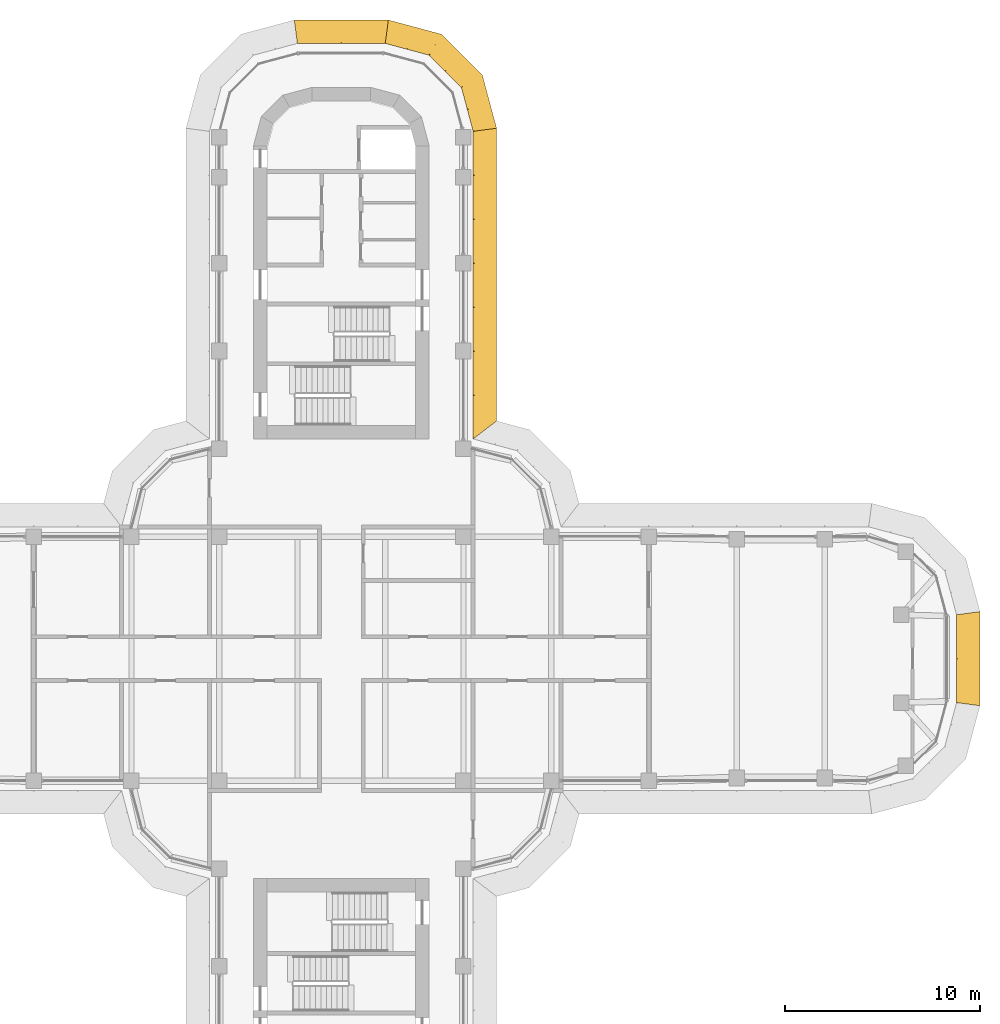
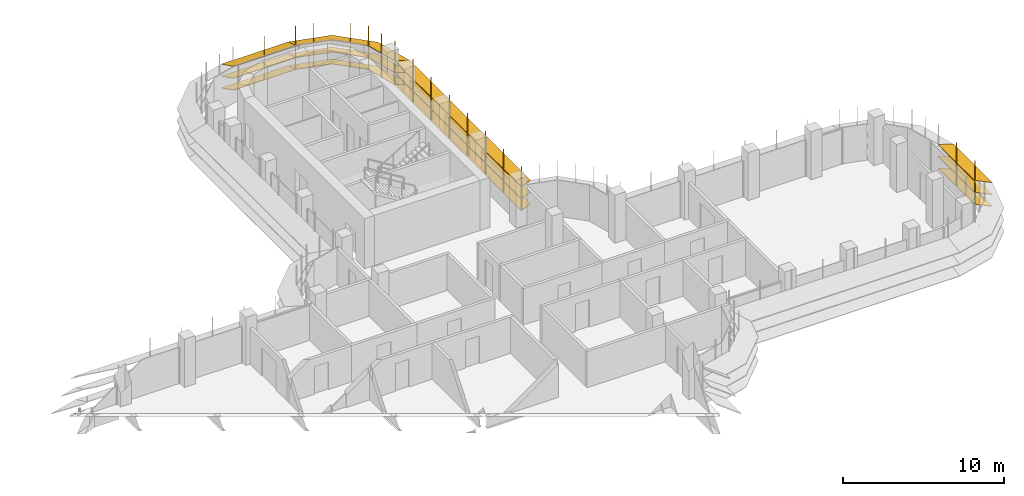
# One storey, part 20 of 20: 4 shading devices.
"""IFC4 building model written with IfcOpenShell, lengths in metres."""

from ifc_helpers import new_model, si_unit, direction, frame, origin, place, context, subcontext, project, spatial, polyline, outline, extrude, faceted_brep, source, transform, mapped, material, type_object, element, save


model = new_model("IFC4")

# Units and contexts
model_context = context("Model", 3, precision=1e-05, world=origin(), true_north=direction((0.0, 1.0)))
body_context = subcontext(model_context, "Body", "Model", "MODEL_VIEW")
ifc_project = project(units=[si_unit("LENGTHUNIT", "METRE"), si_unit("AREAUNIT", "SQUARE_METRE"), si_unit("VOLUMEUNIT", "CUBIC_METRE"), si_unit("PLANEANGLEUNIT", "RADIAN"), si_unit("MASSUNIT", "GRAM", prefix="KILO")], contexts=[model_context])

# Site, building, storey
site_placement = place(None, origin())
site = spatial("IfcSite", under=ifc_project, at=site_placement, CompositionType="ELEMENT")
building_placement = place(site_placement, origin())
building = spatial("IfcBuilding", under=site, at=building_placement, Name="Zarbagh Exchange Tower", CompositionType="ELEMENT")
storey_placement = place(building_placement, frame((0.0, 0.0, 186.60009765625)))
storey = spatial("IfcBuildingStorey", under=building, at=storey_placement, Name="L45", CompositionType="ELEMENT", Elevation=186.60009765625)

# Shading devices
ifc_material = material(Name="Anodised aluminium blades and brackets", Category="aluminium")
shading_device_type = type_object("IfcShadingDeviceType", Name="SUNSHADE louvre band, 22.5 degree blades", PredefinedType="JALOUSIE", material=ifc_material)
shared_shape_1 = source(origin(), body_context, "Body", "Brep", [
    faceted_brep([(0.0, 0.0, 0.0), (0.0, 0.0, -0.043212890625), (-0.157958984375, -1.199951171875, -0.540283203125), (-0.157958984375, -1.199951171875, -0.4970703125), (2.65087890625, -1.199951171875, -0.4970703125), (2.65087890625, -1.199951171875, -0.540283203125), (2.329345703125, 0.0, -0.043212890625), (2.329345703125, 0.0, 0.0)], [[[0, 1, 2, 3]], [[4, 5, 6, 7]], [[0, 7, 6, 1]], [[1, 6, 5, 2]], [[2, 5, 4, 3]], [[3, 4, 7, 0]]]),
])
shared_shape_2 = source(origin(), body_context, "Body", "Brep", [
    faceted_brep([(0.0, 0.0, 0.0), (0.0, 0.0, -0.043212890625), (-0.321533203125, -1.199951171875, -0.540283203125), (-0.321533203125, -1.199951171875, -0.4970703125), (2.65087890625, -1.199951171875, -0.4970703125), (2.65087890625, -1.199951171875, -0.540283203125), (2.329345703125, 0.0, -0.043212890625), (2.329345703125, 0.0, 0.0)], [[[0, 1, 2, 3]], [[4, 5, 6, 7]], [[0, 7, 6, 1]], [[1, 6, 5, 2]], [[2, 5, 4, 3]], [[3, 4, 7, 0]]]),
])
shared_shape_3 = source(origin(), body_context, "Body", "Brep", [
    faceted_brep([(0.0, 0.0, 0.0), (0.0, 0.0, -0.043212890625), (-0.321533203125, -1.199951171875, -0.540283203125), (-0.321533203125, -1.199951171875, -0.4970703125), (2.4873046875, -1.199951171875, -0.4970703125), (2.4873046875, -1.199951171875, -0.540283203125), (2.329345703125, 0.0, -0.043212890625), (2.329345703125, 0.0, 0.0)], [[[0, 1, 2, 3]], [[4, 5, 6, 7]], [[0, 7, 6, 1]], [[1, 6, 5, 2]], [[2, 5, 4, 3]], [[3, 4, 7, 0]]]),
])
shared_shape_4 = source(origin(), body_context, "Body", "SweptSolid", [
    extrude(outline(polyline([(0.0, -0.012451171875), (0.06005859375, -0.012451171875), (0.06005859375, 0.012451171875), (0.0, 0.012451171875), (0.0, -0.012451171875)])), origin(), (0.0, 0.0, 1.0), 3.353271484375),
])
placement = place(storey_placement, origin())
element("IfcShadingDevice", 1, at=placement, inside=storey, type_object=shading_device_type, Name="SS26 sunshade band", PredefinedType="JALOUSIE", context=body_context, shape_type="MappedRepresentation", body=[
    mapped(shared_shape_1, transform((6.75, 27.0, 2.2998046875), x_axis=(-0.258824779902, 0.965924289636, 0.0), y_axis=(-0.965924289636, -0.258824779902, 0.0), z_axis=(0.0, 0.0, 1.0))),
    mapped(shared_shape_1, transform((6.75, 27.0, 1.39990234375), x_axis=(-0.258824779902, 0.965924289636, 0.0), y_axis=(-0.965924289636, -0.258824779902, 0.0), z_axis=(0.0, 0.0, 1.0))),
    mapped(shared_shape_1, transform((6.75, 27.0, 0.5), x_axis=(-0.258824779902, 0.965924289636, 0.0), y_axis=(-0.965924289636, -0.258824779902, 0.0), z_axis=(0.0, 0.0, 1.0))),
    mapped(shared_shape_2, transform((6.147216796875, 29.25, 2.2998046875), x_axis=(-0.707106781187, 0.707106781187, 0.0), y_axis=(-0.707106781187, -0.707106781187, 0.0), z_axis=(0.0, 0.0, 1.0))),
    mapped(shared_shape_2, transform((6.147216796875, 29.25, 1.39990234375), x_axis=(-0.707106781187, 0.707106781187, 0.0), y_axis=(-0.707106781187, -0.707106781187, 0.0), z_axis=(0.0, 0.0, 1.0))),
    mapped(shared_shape_2, transform((6.147216796875, 29.25, 0.5), x_axis=(-0.707106781187, 0.707106781187, 0.0), y_axis=(-0.707106781187, -0.707106781187, 0.0), z_axis=(0.0, 0.0, 1.0))),
    mapped(shared_shape_3, transform((4.5, 30.897216796875, 2.2998046875), x_axis=(-0.965924289636, 0.258824779902, 0.0), y_axis=(-0.258824779902, -0.965924289636, 0.0), z_axis=(0.0, 0.0, 1.0))),
    mapped(shared_shape_3, transform((4.5, 30.897216796875, 1.39990234375), x_axis=(-0.965924289636, 0.258824779902, 0.0), y_axis=(-0.258824779902, -0.965924289636, 0.0), z_axis=(0.0, 0.0, 1.0))),
    mapped(shared_shape_3, transform((4.5, 30.897216796875, 0.5), x_axis=(-0.965924289636, 0.258824779902, 0.0), y_axis=(-0.258824779902, -0.965924289636, 0.0), z_axis=(0.0, 0.0, 1.0))),
    mapped(shared_shape_4, transform((6.75, 27.0, 0.426513671875), x_axis=(0.991444457092, 0.130529263012, 0.0), y_axis=(-0.130529263012, 0.991444457092, 0.0), z_axis=(0.0, 0.0, 1.0))),
    mapped(shared_shape_4, transform((6.448486328125, 28.125, 0.426513671875), x_axis=(0.96592421511, 0.258825058029, 0.0), y_axis=(-0.258825058029, 0.96592421511, 0.0), z_axis=(0.0, 0.0, 1.0))),
    mapped(shared_shape_4, transform((6.147216796875, 29.25, 0.426513671875), x_axis=(0.866023812018, 0.50000275701, 0.0), y_axis=(-0.50000275701, 0.866023812018, 0.0), z_axis=(0.0, 0.0, 1.0))),
    mapped(shared_shape_4, transform((5.323486328125, 30.073486328125, 0.426513671875), x_axis=(0.707106781187, 0.707106781187, 0.0), y_axis=(-0.707106781187, 0.707106781187, 0.0), z_axis=(0.0, 0.0, 1.0))),
    mapped(shared_shape_4, transform((4.5, 30.897216796875, 0.426513671875), x_axis=(0.50000275701, 0.866023812018, 0.0), y_axis=(-0.866023812018, 0.50000275701, 0.0), z_axis=(0.0, 0.0, 1.0))),
    mapped(shared_shape_4, transform((3.375, 31.198486328125, 0.426513671875), x_axis=(0.258825058029, 0.96592421511, 0.0), y_axis=(-0.96592421511, 0.258825058029, 0.0), z_axis=(0.0, 0.0, 1.0))),
])
shared_shape_5 = source(origin(), body_context, "Body", "Brep", [
    faceted_brep([(0.0, 0.0, 0.0), (0.0, 0.0, -0.043212890625), (-0.157958984375, -1.199951171875, -0.540283203125), (-0.157958984375, -1.199951171875, -0.4970703125), (4.657958984375, -1.199951171875, -0.4970703125), (4.657958984375, -1.199951171875, -0.540283203125), (4.5, 0.0, -0.043212890625), (4.5, 0.0, 0.0)], [[[0, 1, 2, 3]], [[4, 5, 6, 7]], [[0, 7, 6, 1]], [[1, 6, 5, 2]], [[2, 5, 4, 3]], [[3, 4, 7, 0]]]),
])
element("IfcShadingDevice", 2, at=placement, inside=storey, type_object=shading_device_type, Name="SS32 sunshade band", PredefinedType="JALOUSIE", context=body_context, shape_type="MappedRepresentation", body=[
    mapped(shared_shape_5, transform((31.5, -2.25, 2.2998046875), x_axis=(0.0, 1.0, 0.0), y_axis=(-1.0, 0.0, 0.0), z_axis=(0.0, 0.0, 1.0))),
    mapped(shared_shape_5, transform((31.5, -2.25, 1.39990234375), x_axis=(0.0, 1.0, 0.0), y_axis=(-1.0, 0.0, 0.0), z_axis=(0.0, 0.0, 1.0))),
    mapped(shared_shape_5, transform((31.5, -2.25, 0.5), x_axis=(0.0, 1.0, 0.0), y_axis=(-1.0, 0.0, 0.0), z_axis=(0.0, 0.0, 1.0))),
    mapped(shared_shape_4, transform((31.5, -2.25, 0.426513671875), x_axis=(0.991444457092, -0.130529263012, 0.0), y_axis=(0.130529263012, 0.991444457092, 0.0), z_axis=(0.0, 0.0, 1.0))),
    mapped(shared_shape_4, transform((31.5, 0.0, 0.426513671875), x_axis=(1.0, 0.0, 0.0), y_axis=(0.0, 1.0, 0.0), z_axis=(0.0, 0.0, 1.0))),
])
shared_shape_6 = source(origin(), body_context, "Body", "Brep", [
    faceted_brep([(0.0, 0.0, 0.0), (0.0, 0.0, -0.043212890625), (0.9208984375, -1.199951171875, -0.540283203125), (0.9208984375, -1.199951171875, -0.4970703125), (15.907958984375, -1.199951171875, -0.4970703125), (15.907958984375, -1.199951171875, -0.540283203125), (15.75, 0.0, -0.043212890625), (15.75, 0.0, 0.0)], [[[0, 1, 2, 3]], [[4, 5, 6, 7]], [[0, 7, 6, 1]], [[1, 6, 5, 2]], [[2, 5, 4, 3]], [[3, 4, 7, 0]]]),
])
element("IfcShadingDevice", 3, at=placement, inside=storey, type_object=shading_device_type, Name="SS25 sunshade band", PredefinedType="JALOUSIE", context=body_context, shape_type="MappedRepresentation", body=[
    mapped(shared_shape_6, transform((6.75, 11.25, 2.2998046875), x_axis=(0.0, 1.0, 0.0), y_axis=(-1.0, 0.0, 0.0), z_axis=(0.0, 0.0, 1.0))),
    mapped(shared_shape_6, transform((6.75, 11.25, 1.39990234375), x_axis=(0.0, 1.0, 0.0), y_axis=(-1.0, 0.0, 0.0), z_axis=(0.0, 0.0, 1.0))),
    mapped(shared_shape_6, transform((6.75, 11.25, 0.5), x_axis=(0.0, 1.0, 0.0), y_axis=(-1.0, 0.0, 0.0), z_axis=(0.0, 0.0, 1.0))),
    mapped(shared_shape_4, transform((6.75, 11.25, 0.426513671875), x_axis=(0.793355287, 0.608758892, 0.0), y_axis=(-0.608758892, 0.793355287, 0.0), z_axis=(0.0, 0.0, 1.0))),
    mapped(shared_shape_4, transform((6.75, 13.5, 0.426513671875), x_axis=(1.0, 0.0, 0.0), y_axis=(0.0, 1.0, 0.0), z_axis=(0.0, 0.0, 1.0))),
    mapped(shared_shape_4, transform((6.75, 15.75, 0.426513671875), x_axis=(1.0, 0.0, 0.0), y_axis=(0.0, 1.0, 0.0), z_axis=(0.0, 0.0, 1.0))),
    mapped(shared_shape_4, transform((6.75, 18.0, 0.426513671875), x_axis=(1.0, 0.0, 0.0), y_axis=(0.0, 1.0, 0.0), z_axis=(0.0, 0.0, 1.0))),
    mapped(shared_shape_4, transform((6.75, 20.25, 0.426513671875), x_axis=(1.0, 0.0, 0.0), y_axis=(0.0, 1.0, 0.0), z_axis=(0.0, 0.0, 1.0))),
    mapped(shared_shape_4, transform((6.75, 22.5, 0.426513671875), x_axis=(1.0, 0.0, 0.0), y_axis=(0.0, 1.0, 0.0), z_axis=(0.0, 0.0, 1.0))),
    mapped(shared_shape_4, transform((6.75, 24.75, 0.426513671875), x_axis=(1.0, 0.0, 0.0), y_axis=(0.0, 1.0, 0.0), z_axis=(0.0, 0.0, 1.0))),
])
element("IfcShadingDevice", 4, at=placement, inside=storey, type_object=shading_device_type, Name="SS27 sunshade band", PredefinedType="JALOUSIE", context=body_context, shape_type="MappedRepresentation", body=[
    mapped(shared_shape_5, transform((2.25, 31.5, 2.2998046875), x_axis=(-1.0, 0.0, 0.0), y_axis=(0.0, -1.0, 0.0), z_axis=(0.0, 0.0, 1.0))),
    mapped(shared_shape_5, transform((2.25, 31.5, 1.39990234375), x_axis=(-1.0, 0.0, 0.0), y_axis=(0.0, -1.0, 0.0), z_axis=(0.0, 0.0, 1.0))),
    mapped(shared_shape_5, transform((2.25, 31.5, 0.5), x_axis=(-1.0, 0.0, 0.0), y_axis=(0.0, -1.0, 0.0), z_axis=(0.0, 0.0, 1.0))),
    mapped(shared_shape_4, transform((2.25, 31.5, 0.426513671875), x_axis=(0.130529263012, 0.991444457092, 0.0), y_axis=(-0.991444457092, 0.130529263012, 0.0), z_axis=(0.0, 0.0, 1.0))),
    mapped(shared_shape_4, transform((0.0, 31.5, 0.426513671875), x_axis=(0.0, 1.0, 0.0), y_axis=(-1.0, 0.0, 0.0), z_axis=(0.0, 0.0, 1.0))),
])

save(model, "model.ifc")
